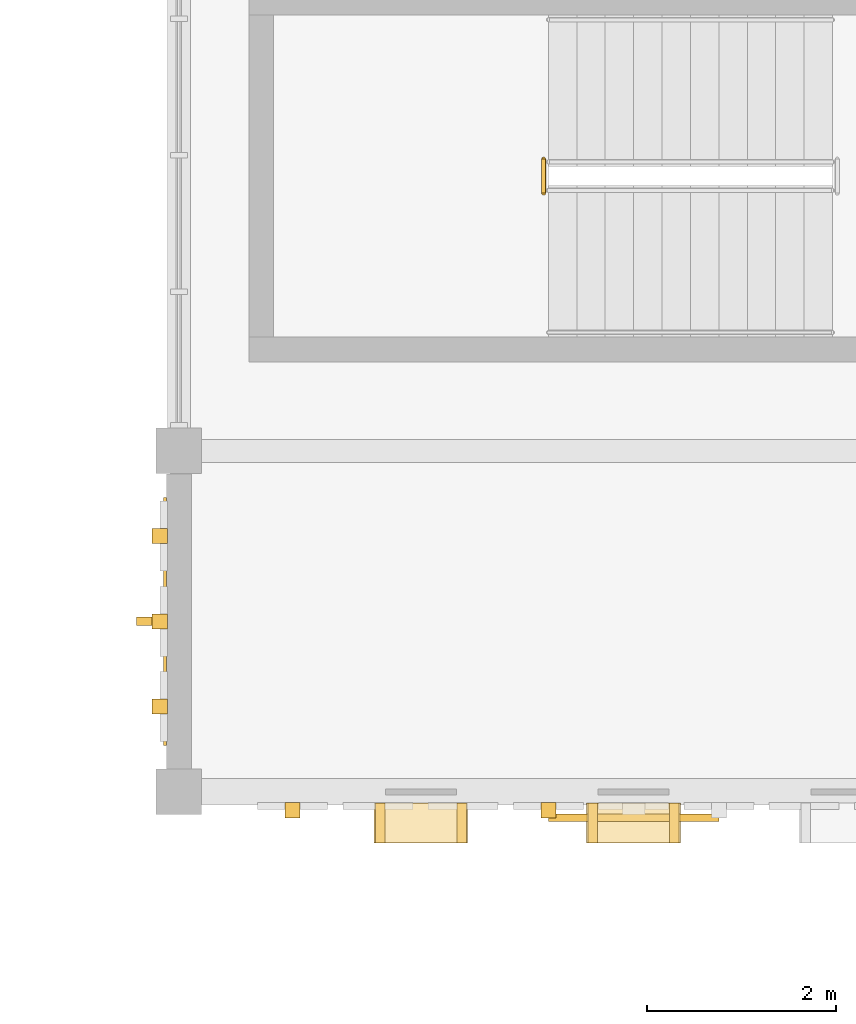
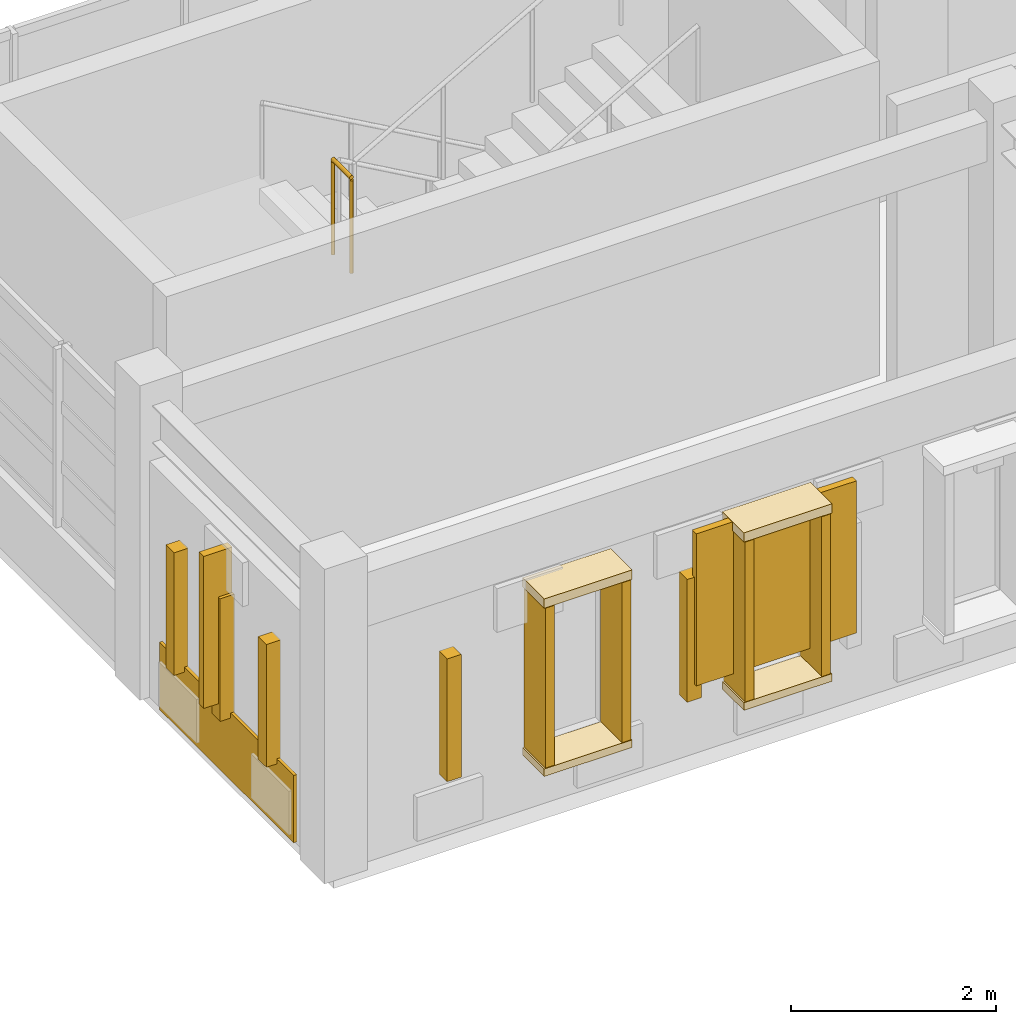
# One storey, part 44 of 53: 14 coverings, 2 shading devices, 1 railing.
"""IFC4 building model written with IfcOpenShell, lengths in metres."""

from ifc_helpers import new_model, si_unit, direction, frame, origin, origin_2d, place, context, subcontext, project, spatial, rectangle, circle, extrude, material, layer, layer_set, type_object, element, save


model = new_model("IFC4")

# Units and contexts
model_context = context("Model", 3, precision=1e-05, world=origin(), true_north=direction((0.0, 1.0)))
body_context = subcontext(model_context, "Body", "Model", "MODEL_VIEW")
ifc_project = project(units=[si_unit("LENGTHUNIT", "METRE"), si_unit("AREAUNIT", "SQUARE_METRE"), si_unit("VOLUMEUNIT", "CUBIC_METRE"), si_unit("PLANEANGLEUNIT", "RADIAN"), si_unit("MASSUNIT", "GRAM", prefix="KILO")], contexts=[model_context])

# Site, building, storey
site_placement = place(None, origin())
site = spatial("IfcSite", under=ifc_project, at=site_placement, CompositionType="ELEMENT")
building_placement = place(site_placement, origin())
building = spatial("IfcBuilding", under=site, at=building_placement, Name="Nzembalo Square Collegiate School", CompositionType="ELEMENT")
storey_placement = place(building_placement, frame((0.0, 0.0, 13.60009765625)))
storey = spatial("IfcBuildingStorey", under=building, at=storey_placement, Name="L03", CompositionType="ELEMENT", Elevation=13.60009765625)

# Coverings
ifc_material_1 = material(Name="Glazed cobalt ceramic patterned tile")
ifc_layer_1 = layer(ifc_material_1, 0.074951171875, Name="Glazed cobalt ceramic patterned tile")
ifc_layer_set_1 = layer_set([ifc_layer_1], Name="Glazed cobalt ceramic patterned tile")
covering_type_1 = type_object("IfcCoveringType", Name="CL01", PredefinedType="CLADDING", material=ifc_layer_set_1)
covering_1_placement = place(storey_placement, frame((130.652587890625, 81.0, 0.02001953125), z_axis=(0.0, 0.0, 1.0), x_axis=(1.0, 0.0, 0.0)))
element("IfcCovering", 1, at=covering_1_placement, inside=storey, type_object=covering_type_1, Name="Faience spandrel cladding CL01-0204", PredefinedType="CLADDING", context=body_context, shape_type="SweptSolid", body=[
    extrude(rectangle(XDim=0.034912109375, YDim=2.615966796875, at=origin_2d()), origin(), (0.0, 0.0, 1.0), 0.800048828125),
])
ifc_material_2 = material(Name="Glazed ochre ceramic lancet rib")
ifc_layer_2 = layer(ifc_material_2, 0.159912109375, Name="Glazed ochre ceramic lancet rib")
ifc_layer_set_2 = layer_set([ifc_layer_2], Name="Glazed ochre ceramic lancet rib")
covering_type_2 = type_object("IfcCoveringType", Name="CL02", PredefinedType="CLADDING", material=ifc_layer_set_2)
for number, where, z_axis, x_axis, name in (
    (2, (132.0, 79.007568359375, 0.760009765625), (0.0, 0.0, 1.0), (1.0, 0.0, 0.0), "Gothic ceramic rib CL02-X0203-0"),
    (3, (134.699951171875, 79.007568359375, 0.760009765625), (0.0, 0.0, 1.0), (1.0, 0.0, 0.0), "Gothic ceramic rib CL02-X0203-3"),
    (4, (130.597412109375, 80.10009765625, 0.760009765625), (0.0, 0.0, 1.0), (1.0, 0.0, 0.0), "Gothic ceramic rib CL02-Y0204-0"),
    (5, (130.597412109375, 81.0, 0.760009765625), (0.0, 0.0, 1.0), (1.0, 0.0, 0.0), "Gothic ceramic rib CL02-Y0204-1"),
    (6, (130.597412109375, 81.89990234375, 0.760009765625), (0.0, 0.0, 1.0), (1.0, 0.0, 0.0), "Gothic ceramic rib CL02-Y0204-2"),
):
    element("IfcCovering", number, at=place(storey_placement, frame(where, z_axis=z_axis, x_axis=x_axis)), inside=storey, type_object=covering_type_2, Name=name, PredefinedType="CLADDING", context=body_context, shape_type="SweptSolid", body=[
        extrude(rectangle(XDim=0.159912109375, YDim=0.159912109375, at=origin_2d()), origin(), (0.0, 0.0, 1.0), 1.458984375),
    ])
ifc_material_3 = material(Name="Glazed celadon ceramic window frame")
ifc_layer_3 = layer(ifc_material_3, 0.419921875, Name="Glazed celadon ceramic window frame")
ifc_layer_set_3 = layer_set([ifc_layer_3], Name="Glazed celadon ceramic window frame")
covering_type_3 = type_object("IfcCoveringType", Name="WF01", PredefinedType="CLADDING", material=ifc_layer_set_3)
covering_2_placement = place(storey_placement, frame((133.353515625, 78.87255859375, 2.65478515625), z_axis=(0.0, 0.0, 1.0), x_axis=(1.0, 0.0, 0.0)))
element("IfcCovering", 7, at=covering_2_placement, inside=storey, type_object=covering_type_3, Name="Deep lancet window hood WF01-0594", PredefinedType="CLADDING", context=body_context, shape_type="SweptSolid", body=[
    extrude(rectangle(XDim=0.989990234375, YDim=0.419921875, at=origin_2d()), origin(), (0.0, 0.0, 1.0), 0.110107421875),
])
covering_3_placement = place(storey_placement, frame((133.353515625, 78.87255859375, 0.65478515625), z_axis=(0.0, 0.0, 1.0), x_axis=(1.0, 0.0, 0.0)))
element("IfcCovering", 8, at=covering_3_placement, inside=storey, type_object=covering_type_3, Name="Deep lancet window sill WF01-0594", PredefinedType="CLADDING", context=body_context, shape_type="SweptSolid", body=[
    extrude(rectangle(XDim=0.989990234375, YDim=0.419921875, at=origin_2d()), origin(), (0.0, 0.0, 1.0), 0.090087890625),
])
for number, where, z_axis, x_axis, name in (
    (9, (132.923583984375, 78.87255859375, 0.75), (0.0, 0.0, 1.0), (1.0, 0.0, 0.0), "Deep lancet window jamb WF01-0594L"),
    (10, (133.783447265625, 78.87255859375, 0.75), (0.0, 0.0, 1.0), (1.0, 0.0, 0.0), "Deep lancet window jamb WF01-0594R"),
):
    element("IfcCovering", number, at=place(storey_placement, frame(where, z_axis=z_axis, x_axis=x_axis)), inside=storey, type_object=covering_type_3, Name=name, PredefinedType="CLADDING", context=body_context, shape_type="SweptSolid", body=[
        extrude(rectangle(XDim=0.10009765625, YDim=0.419921875, at=origin_2d()), origin(), (0.0, 0.0, 1.0), 1.89990234375),
    ])
covering_4_placement = place(storey_placement, frame((135.60009765625, 78.87255859375, 2.65478515625), z_axis=(0.0, 0.0, 1.0), x_axis=(1.0, 0.0, 0.0)))
element("IfcCovering", 11, at=covering_4_placement, inside=storey, type_object=covering_type_3, Name="Deep lancet window hood WF01-0595", PredefinedType="CLADDING", context=body_context, shape_type="SweptSolid", body=[
    extrude(rectangle(XDim=0.989990234375, YDim=0.419921875, at=origin_2d()), origin(), (0.0, 0.0, 1.0), 0.110107421875),
])
covering_5_placement = place(storey_placement, frame((135.60009765625, 78.87255859375, 0.65478515625), z_axis=(0.0, 0.0, 1.0), x_axis=(1.0, 0.0, 0.0)))
element("IfcCovering", 12, at=covering_5_placement, inside=storey, type_object=covering_type_3, Name="Deep lancet window sill WF01-0595", PredefinedType="CLADDING", context=body_context, shape_type="SweptSolid", body=[
    extrude(rectangle(XDim=0.989990234375, YDim=0.419921875, at=origin_2d()), origin(), (0.0, 0.0, 1.0), 0.090087890625),
])
for number, where, z_axis, x_axis, name in (
    (13, (135.169921875, 78.87255859375, 0.75), (0.0, 0.0, 1.0), (1.0, 0.0, 0.0), "Deep lancet window jamb WF01-0595L"),
    (14, (136.030029296875, 78.87255859375, 0.75), (0.0, 0.0, 1.0), (1.0, 0.0, 0.0), "Deep lancet window jamb WF01-0595R"),
):
    element("IfcCovering", number, at=place(storey_placement, frame(where, z_axis=z_axis, x_axis=x_axis)), inside=storey, type_object=covering_type_3, Name=name, PredefinedType="CLADDING", context=body_context, shape_type="SweptSolid", body=[
        extrude(rectangle(XDim=0.10009765625, YDim=0.419921875, at=origin_2d()), origin(), (0.0, 0.0, 1.0), 1.89990234375),
    ])

# Railing
ifc_material_4 = material(Name="Steel S355", Category="steel")
railing_type = type_object("IfcRailingType", Name="GR01", PredefinedType="GUARDRAIL", material=ifc_material_4)
railing_placement = place(storey_placement, frame((134.64990234375, 85.52001953125, 1.864990234375)))
element("IfcRailing", 15, at=railing_placement, inside=storey, type_object=railing_type, Name="Stair guard GR-16-2", PredefinedType="GUARDRAIL", context=body_context, shape_type="SweptSolid", body=[
    extrude(circle(Radius=0.02392578125, at=origin_2d()), frame((0.0, 0.0, 1.1259765625), z_axis=(0.0, 1.0, 0.0), x_axis=(-1.0, 0.0, 0.0)), (0.0, 0.0, 1.0), 0.35986328125),
    extrude(circle(Radius=0.02099609375, at=origin_2d()), origin(), (0.0, 0.0, 1.0), 1.101806640625),
    extrude(circle(Radius=0.02099609375, at=origin_2d()), frame((0.0, 0.35986328125, 0.0)), (0.0, 0.0, 1.0), 1.101806640625),
])

# Shading devices
ifc_material_5 = material(Name="Glazed ochre ceramic vertical fin")
shading_device_type_1 = type_object("IfcShadingDeviceType", Name="JL01", PredefinedType="JALOUSIE", material=ifc_material_5)
shading_device_1_placement = place(storey_placement, frame((130.512451171875, 81.0, 0.949951171875), z_axis=(0.0, 0.0, 1.0), x_axis=(1.0, 0.0, 0.0)))
element("IfcShadingDevice", 16, at=shading_device_1_placement, inside=storey, type_object=shading_device_type_1, Name="Ceramic fin JL01-0204", PredefinedType="JALOUSIE", context=body_context, shape_type="SweptSolid", body=[
    extrude(rectangle(XDim=0.320068359375, YDim=0.090087890625, at=origin_2d()), origin(), (0.0, 0.0, 1.0), 1.80908203125),
])
ifc_material_6 = material(Name="Glazed celadon ceramic lancet screen")
ifc_layer_4 = layer(ifc_material_6, 0.080078125, Name="Glazed celadon ceramic lancet screen")
ifc_layer_set_4 = layer_set([ifc_layer_4], Name="Glazed celadon ceramic lancet screen")
shading_device_type_2 = type_object("IfcShadingDeviceType", Name="SC02", PredefinedType="USERDEFINED", material=ifc_layer_set_4)
shading_device_2_placement = place(storey_placement, frame((135.60009765625, 78.927490234375, 0.949951171875), z_axis=(0.0, 0.0, 1.0), x_axis=(1.0, 0.0, 0.0)))
element("IfcShadingDevice", 17, at=shading_device_2_placement, inside=storey, type_object=shading_device_type_2, Name="Ceramic lancet screen SC02-016", ObjectType="SCREEN", PredefinedType="USERDEFINED", context=body_context, shape_type="SweptSolid", body=[
    extrude(rectangle(XDim=1.800048828125, YDim=0.080078125, at=origin_2d()), origin(), (0.0, 0.0, 1.0), 1.80908203125),
])

save(model, "model.ifc")
